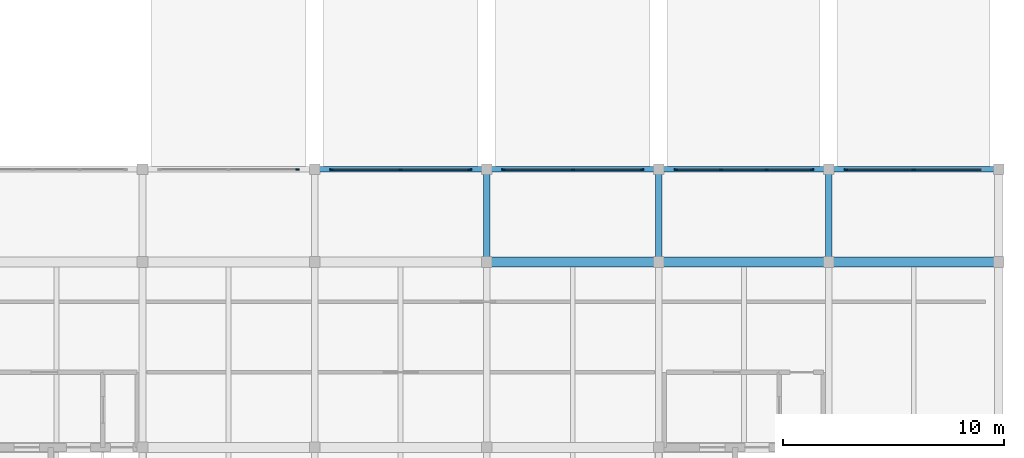
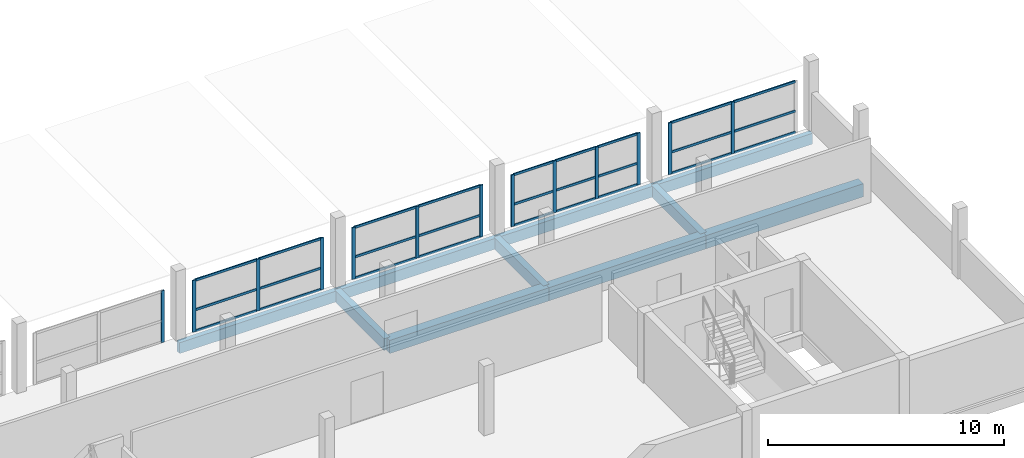
# One storey, part 31 of 51: 40 members, 10 beams, 5 elements without a shape of their own.
"""IFC4 building model written with IfcOpenShell, lengths in metres."""

from ifc_helpers import new_model, si_unit, direction, frame, origin, origin_2d, place, context, subcontext, project, spatial, rectangle, extrude, material, material_profile, profile_set, type_object, element, aggregate, save


model = new_model("IFC4")

# Units and contexts
model_context = context("Model", 3, precision=1e-05, world=origin(), true_north=direction((0.0, 1.0)))
body_context = subcontext(model_context, "Body", "Model", "MODEL_VIEW")
ifc_project = project(units=[si_unit("LENGTHUNIT", "METRE"), si_unit("AREAUNIT", "SQUARE_METRE"), si_unit("VOLUMEUNIT", "CUBIC_METRE"), si_unit("PLANEANGLEUNIT", "RADIAN"), si_unit("MASSUNIT", "GRAM", prefix="KILO")], contexts=[model_context])

# Site, building, storey
site_placement = place(None, origin())
site = spatial("IfcSite", under=ifc_project, at=site_placement, CompositionType="ELEMENT")
building_placement = place(site_placement, origin())
building = spatial("IfcBuilding", under=site, at=building_placement, Name="Vharandega Faculty of Natural Sciences", CompositionType="ELEMENT")
storey_placement = place(building_placement, frame((0.0, 0.0, 18.0)))
storey = spatial("IfcBuildingStorey", under=building, at=storey_placement, Name="L04", CompositionType="ELEMENT", Elevation=18.0)

# Curtain wall, member
ifc_material_1 = material(Name="Aluminium and solar-control glass curtain wall", Category="aluminium")
curtain_wall_type_1 = type_object("IfcCurtainWallType", Name="Unitised Curtain Wall System CW-22", PredefinedType="NOTDEFINED", material=ifc_material_1)
curtain_wall_1_placement = place(storey_placement, origin())
curtain_wall_1 = element("IfcCurtainWall", 1, at=curtain_wall_1_placement, inside=storey, type_object=curtain_wall_type_1, Name="Curtain Wall CW-L04-021", PredefinedType="NOTDEFINED")
ifc_material_2 = material(Name="Thermally broken aluminium 6063-T6", Category="aluminium")
ifc_material_profile_1 = material_profile(ifc_material_2, rectangle(XDim=0.06005859375, YDim=0.159912109375, at=origin_2d()), Name="ALU 60x160")
ifc_profile_set_1 = profile_set([ifc_material_profile_1], Name="Thermally broken aluminium 6063-T6")
member_type_1 = type_object("IfcMemberType", Name="CW Mullion 60x160", PredefinedType="MULLION", material=ifc_profile_set_1)
member_1_placement = place(storey_placement, frame((129.6298828125, 85.0, 0.0), z_axis=(0.0, 0.0, 1.0), x_axis=(0.0, 1.0, 0.0)))
member_1 = element("IfcMember", 2, at=member_1_placement, type_object=member_type_1, Name="CW-22 mullion 3", PredefinedType="MULLION", context=body_context, shape_type="SweptSolid", body=[
    extrude(rectangle(XDim=0.06005859375, YDim=0.159912109375, at=origin_2d()), origin(), (0.0, 0.0, 1.0), 2.679931640625),
])
aggregate(curtain_wall_1, [member_1])

# Curtain wall, members
ifc_material_3 = material(Name="Aluminium and solar-control glass curtain wall", Category="aluminium")
curtain_wall_type_2 = type_object("IfcCurtainWallType", Name="Unitised Curtain Wall System CW-23", PredefinedType="NOTDEFINED", material=ifc_material_3)
curtain_wall_2_placement = place(storey_placement, origin())
curtain_wall_2 = element("IfcCurtainWall", 3, at=curtain_wall_2_placement, inside=storey, type_object=curtain_wall_type_2, Name="Curtain Wall CW-L04-022", PredefinedType="NOTDEFINED")
member_2_placement = place(storey_placement, frame((131.169921875, 85.0, 0.0), z_axis=(0.0, 0.0, 1.0), x_axis=(0.0, 1.0, 0.0)))
member_2 = element("IfcMember", 4, at=member_2_placement, type_object=member_type_1, Name="CW-23 mullion 1", PredefinedType="MULLION", context=body_context, shape_type="SweptSolid", body=[
    extrude(rectangle(XDim=0.06005859375, YDim=0.159912109375, at=origin_2d()), origin(), (0.0, 0.0, 1.0), 2.679931640625),
])
member_3_placement = place(storey_placement, frame((134.300048828125, 85.0, 0.0), z_axis=(0.0, 0.0, 1.0), x_axis=(0.0, 1.0, 0.0)))
member_3 = element("IfcMember", 5, at=member_3_placement, type_object=member_type_1, Name="CW-23 mullion 2", PredefinedType="MULLION", context=body_context, shape_type="SweptSolid", body=[
    extrude(rectangle(XDim=0.06005859375, YDim=0.159912109375, at=origin_2d()), origin(), (0.0, 0.0, 1.0), 2.679931640625),
])
member_4_placement = place(storey_placement, frame((137.429931640625, 85.0, 0.0), z_axis=(0.0, 0.0, 1.0), x_axis=(0.0, 1.0, 0.0)))
member_4 = element("IfcMember", 6, at=member_4_placement, type_object=member_type_1, Name="CW-23 mullion 3", PredefinedType="MULLION", context=body_context, shape_type="SweptSolid", body=[
    extrude(rectangle(XDim=0.06005859375, YDim=0.159912109375, at=origin_2d()), origin(), (0.0, 0.0, 1.0), 2.679931640625),
])

ifc_material_4 = material(Name="Aluminium and solar-control glass curtain wall", Category="aluminium")
curtain_wall_type_3 = type_object("IfcCurtainWallType", Name="Unitised Curtain Wall System CW-24", PredefinedType="NOTDEFINED", material=ifc_material_4)
curtain_wall_3_placement = place(storey_placement, origin())
curtain_wall_3 = element("IfcCurtainWall", 7, at=curtain_wall_3_placement, inside=storey, type_object=curtain_wall_type_3, Name="Curtain Wall CW-L04-023", PredefinedType="NOTDEFINED")
member_5_placement = place(storey_placement, frame((138.969970703125, 85.0, 0.0), z_axis=(0.0, 0.0, 1.0), x_axis=(0.0, 1.0, 0.0)))
member_5 = element("IfcMember", 8, at=member_5_placement, type_object=member_type_1, Name="CW-24 mullion 1", PredefinedType="MULLION", context=body_context, shape_type="SweptSolid", body=[
    extrude(rectangle(XDim=0.06005859375, YDim=0.159912109375, at=origin_2d()), origin(), (0.0, 0.0, 1.0), 2.679931640625),
])
member_6_placement = place(storey_placement, frame((142.10009765625, 85.0, 0.0), z_axis=(0.0, 0.0, 1.0), x_axis=(0.0, 1.0, 0.0)))
member_6 = element("IfcMember", 9, at=member_6_placement, type_object=member_type_1, Name="CW-24 mullion 2", PredefinedType="MULLION", context=body_context, shape_type="SweptSolid", body=[
    extrude(rectangle(XDim=0.06005859375, YDim=0.159912109375, at=origin_2d()), origin(), (0.0, 0.0, 1.0), 2.679931640625),
])
member_7_placement = place(storey_placement, frame((145.22998046875, 85.0, 0.0), z_axis=(0.0, 0.0, 1.0), x_axis=(0.0, 1.0, 0.0)))
member_7 = element("IfcMember", 10, at=member_7_placement, type_object=member_type_1, Name="CW-24 mullion 3", PredefinedType="MULLION", context=body_context, shape_type="SweptSolid", body=[
    extrude(rectangle(XDim=0.06005859375, YDim=0.159912109375, at=origin_2d()), origin(), (0.0, 0.0, 1.0), 2.679931640625),
])

ifc_material_5 = material(Name="Aluminium and solar-control glass curtain wall", Category="aluminium")
curtain_wall_type_4 = type_object("IfcCurtainWallType", Name="Unitised Curtain Wall System CW-25", PredefinedType="NOTDEFINED", material=ifc_material_5)
curtain_wall_4_placement = place(storey_placement, origin())
curtain_wall_4 = element("IfcCurtainWall", 11, at=curtain_wall_4_placement, inside=storey, type_object=curtain_wall_type_4, Name="Curtain Wall CW-L04-024", PredefinedType="NOTDEFINED")
member_8_placement = place(storey_placement, frame((146.77001953125, 85.0, 0.0), z_axis=(0.0, 0.0, 1.0), x_axis=(0.0, 1.0, 0.0)))
member_8 = element("IfcMember", 12, at=member_8_placement, type_object=member_type_1, Name="CW-25 mullion 1", PredefinedType="MULLION", context=body_context, shape_type="SweptSolid", body=[
    extrude(rectangle(XDim=0.06005859375, YDim=0.159912109375, at=origin_2d()), origin(), (0.0, 0.0, 1.0), 2.679931640625),
])
member_9_placement = place(storey_placement, frame((148.813232421875, 85.0, 0.0), z_axis=(0.0, 0.0, 1.0), x_axis=(0.0, 1.0, 0.0)))
member_9 = element("IfcMember", 13, at=member_9_placement, type_object=member_type_1, Name="CW-25 mullion 2", PredefinedType="MULLION", context=body_context, shape_type="SweptSolid", body=[
    extrude(rectangle(XDim=0.06005859375, YDim=0.159912109375, at=origin_2d()), origin(), (0.0, 0.0, 1.0), 2.679931640625),
])
member_10_placement = place(storey_placement, frame((150.88671875, 85.0, 0.0), z_axis=(0.0, 0.0, 1.0), x_axis=(0.0, 1.0, 0.0)))
member_10 = element("IfcMember", 14, at=member_10_placement, type_object=member_type_1, Name="CW-25 mullion 3", PredefinedType="MULLION", context=body_context, shape_type="SweptSolid", body=[
    extrude(rectangle(XDim=0.06005859375, YDim=0.159912109375, at=origin_2d()), origin(), (0.0, 0.0, 1.0), 2.679931640625),
])
member_11_placement = place(storey_placement, frame((152.929931640625, 85.0, 0.0), z_axis=(0.0, 0.0, 1.0), x_axis=(0.0, 1.0, 0.0)))
member_11 = element("IfcMember", 15, at=member_11_placement, type_object=member_type_1, Name="CW-25 mullion 4", PredefinedType="MULLION", context=body_context, shape_type="SweptSolid", body=[
    extrude(rectangle(XDim=0.06005859375, YDim=0.159912109375, at=origin_2d()), origin(), (0.0, 0.0, 1.0), 2.679931640625),
])

ifc_material_6 = material(Name="Aluminium and solar-control glass curtain wall", Category="aluminium")
curtain_wall_type_5 = type_object("IfcCurtainWallType", Name="Unitised Curtain Wall System CW-26", PredefinedType="NOTDEFINED", material=ifc_material_6)
curtain_wall_5_placement = place(storey_placement, origin())
curtain_wall_5 = element("IfcCurtainWall", 16, at=curtain_wall_5_placement, inside=storey, type_object=curtain_wall_type_5, Name="Curtain Wall CW-L04-025", PredefinedType="NOTDEFINED")
member_12_placement = place(storey_placement, frame((154.469970703125, 85.0, 0.0), z_axis=(0.0, 0.0, 1.0), x_axis=(0.0, 1.0, 0.0)))
member_12 = element("IfcMember", 17, at=member_12_placement, type_object=member_type_1, Name="CW-26 mullion 1", PredefinedType="MULLION", context=body_context, shape_type="SweptSolid", body=[
    extrude(rectangle(XDim=0.06005859375, YDim=0.159912109375, at=origin_2d()), origin(), (0.0, 0.0, 1.0), 2.679931640625),
])
member_13_placement = place(storey_placement, frame((157.550048828125, 85.0, 0.0), z_axis=(0.0, 0.0, 1.0), x_axis=(0.0, 1.0, 0.0)))
member_13 = element("IfcMember", 18, at=member_13_placement, type_object=member_type_1, Name="CW-26 mullion 2", PredefinedType="MULLION", context=body_context, shape_type="SweptSolid", body=[
    extrude(rectangle(XDim=0.06005859375, YDim=0.159912109375, at=origin_2d()), origin(), (0.0, 0.0, 1.0), 2.679931640625),
])

# Member
ifc_material_7 = material(Name="Thermally broken aluminium 6063-T6", Category="aluminium")
ifc_material_profile_2 = material_profile(ifc_material_7, rectangle(XDim=0.06005859375, YDim=0.1201171875, at=origin_2d()), Name="ALU 60x120")
ifc_profile_set_2 = profile_set([ifc_material_profile_2], Name="Thermally broken aluminium 6063-T6")
member_type_2 = type_object("IfcMemberType", Name="CW Transom 60x120", PredefinedType="USERDEFINED", material=ifc_profile_set_2)
member_14_placement = place(storey_placement, frame((131.199951171875, 85.0, 0.030029296875), z_axis=(1.0, 0.0, 0.0), x_axis=(0.0, 1.0, 0.0)))
member_14 = element("IfcMember", 19, at=member_14_placement, type_object=member_type_2, Name="CW-23 transom 1.1", ObjectType="TRANSOM", PredefinedType="USERDEFINED", context=body_context, shape_type="SweptSolid", body=[
    extrude(rectangle(XDim=0.06005859375, YDim=0.1201171875, at=origin_2d()), origin(), (0.0, 0.0, 1.0), 3.070068359375),
])

member_15_placement = place(storey_placement, frame((131.199951171875, 85.0, 1.12548828125), z_axis=(1.0, 0.0, 0.0), x_axis=(0.0, 1.0, 0.0)))
member_15 = element("IfcMember", 20, at=member_15_placement, type_object=member_type_2, Name="CW-23 transom 1.2", ObjectType="TRANSOM", PredefinedType="USERDEFINED", context=body_context, shape_type="SweptSolid", body=[
    extrude(rectangle(XDim=0.06005859375, YDim=0.1201171875, at=origin_2d()), origin(), (0.0, 0.0, 1.0), 3.070068359375),
])

member_16_placement = place(storey_placement, frame((131.199951171875, 85.0, 2.64990234375), z_axis=(1.0, 0.0, 0.0), x_axis=(0.0, 1.0, 0.0)))
member_16 = element("IfcMember", 21, at=member_16_placement, type_object=member_type_2, Name="CW-23 transom 1.3", ObjectType="TRANSOM", PredefinedType="USERDEFINED", context=body_context, shape_type="SweptSolid", body=[
    extrude(rectangle(XDim=0.06005859375, YDim=0.1201171875, at=origin_2d()), origin(), (0.0, 0.0, 1.0), 3.070068359375),
])

member_17_placement = place(storey_placement, frame((134.330078125, 85.0, 0.030029296875), z_axis=(1.0, 0.0, 0.0), x_axis=(0.0, 1.0, 0.0)))
member_17 = element("IfcMember", 22, at=member_17_placement, type_object=member_type_2, Name="CW-23 transom 2.1", ObjectType="TRANSOM", PredefinedType="USERDEFINED", context=body_context, shape_type="SweptSolid", body=[
    extrude(rectangle(XDim=0.06005859375, YDim=0.1201171875, at=origin_2d()), origin(), (0.0, 0.0, 1.0), 3.06982421875),
])

member_18_placement = place(storey_placement, frame((134.330078125, 85.0, 1.12548828125), z_axis=(1.0, 0.0, 0.0), x_axis=(0.0, 1.0, 0.0)))
member_18 = element("IfcMember", 23, at=member_18_placement, type_object=member_type_2, Name="CW-23 transom 2.2", ObjectType="TRANSOM", PredefinedType="USERDEFINED", context=body_context, shape_type="SweptSolid", body=[
    extrude(rectangle(XDim=0.06005859375, YDim=0.1201171875, at=origin_2d()), origin(), (0.0, 0.0, 1.0), 3.06982421875),
])

member_19_placement = place(storey_placement, frame((134.330078125, 85.0, 2.64990234375), z_axis=(1.0, 0.0, 0.0), x_axis=(0.0, 1.0, 0.0)))
member_19 = element("IfcMember", 24, at=member_19_placement, type_object=member_type_2, Name="CW-23 transom 2.3", ObjectType="TRANSOM", PredefinedType="USERDEFINED", context=body_context, shape_type="SweptSolid", body=[
    extrude(rectangle(XDim=0.06005859375, YDim=0.1201171875, at=origin_2d()), origin(), (0.0, 0.0, 1.0), 3.06982421875),
])

aggregate(curtain_wall_2, [member_2, member_3, member_4, member_14, member_15, member_16, member_17, member_18, member_19])

member_20_placement = place(storey_placement, frame((139.0, 85.0, 0.030029296875), z_axis=(1.0, 0.0, 0.0), x_axis=(0.0, 1.0, 0.0)))
member_20 = element("IfcMember", 25, at=member_20_placement, type_object=member_type_2, Name="CW-24 transom 1.1", ObjectType="TRANSOM", PredefinedType="USERDEFINED", context=body_context, shape_type="SweptSolid", body=[
    extrude(rectangle(XDim=0.06005859375, YDim=0.1201171875, at=origin_2d()), origin(), (0.0, 0.0, 1.0), 3.070068359375),
])

member_21_placement = place(storey_placement, frame((139.0, 85.0, 1.12548828125), z_axis=(1.0, 0.0, 0.0), x_axis=(0.0, 1.0, 0.0)))
member_21 = element("IfcMember", 26, at=member_21_placement, type_object=member_type_2, Name="CW-24 transom 1.2", ObjectType="TRANSOM", PredefinedType="USERDEFINED", context=body_context, shape_type="SweptSolid", body=[
    extrude(rectangle(XDim=0.06005859375, YDim=0.1201171875, at=origin_2d()), origin(), (0.0, 0.0, 1.0), 3.070068359375),
])

member_22_placement = place(storey_placement, frame((139.0, 85.0, 2.64990234375), z_axis=(1.0, 0.0, 0.0), x_axis=(0.0, 1.0, 0.0)))
member_22 = element("IfcMember", 27, at=member_22_placement, type_object=member_type_2, Name="CW-24 transom 1.3", ObjectType="TRANSOM", PredefinedType="USERDEFINED", context=body_context, shape_type="SweptSolid", body=[
    extrude(rectangle(XDim=0.06005859375, YDim=0.1201171875, at=origin_2d()), origin(), (0.0, 0.0, 1.0), 3.070068359375),
])

member_23_placement = place(storey_placement, frame((142.1298828125, 85.0, 0.030029296875), z_axis=(1.0, 0.0, 0.0), x_axis=(0.0, 1.0, 0.0)))
member_23 = element("IfcMember", 28, at=member_23_placement, type_object=member_type_2, Name="CW-24 transom 2.1", ObjectType="TRANSOM", PredefinedType="USERDEFINED", context=body_context, shape_type="SweptSolid", body=[
    extrude(rectangle(XDim=0.06005859375, YDim=0.1201171875, at=origin_2d()), origin(), (0.0, 0.0, 1.0), 3.070068359375),
])

member_24_placement = place(storey_placement, frame((142.1298828125, 85.0, 1.12548828125), z_axis=(1.0, 0.0, 0.0), x_axis=(0.0, 1.0, 0.0)))
member_24 = element("IfcMember", 29, at=member_24_placement, type_object=member_type_2, Name="CW-24 transom 2.2", ObjectType="TRANSOM", PredefinedType="USERDEFINED", context=body_context, shape_type="SweptSolid", body=[
    extrude(rectangle(XDim=0.06005859375, YDim=0.1201171875, at=origin_2d()), origin(), (0.0, 0.0, 1.0), 3.070068359375),
])

member_25_placement = place(storey_placement, frame((142.1298828125, 85.0, 2.64990234375), z_axis=(1.0, 0.0, 0.0), x_axis=(0.0, 1.0, 0.0)))
member_25 = element("IfcMember", 30, at=member_25_placement, type_object=member_type_2, Name="CW-24 transom 2.3", ObjectType="TRANSOM", PredefinedType="USERDEFINED", context=body_context, shape_type="SweptSolid", body=[
    extrude(rectangle(XDim=0.06005859375, YDim=0.1201171875, at=origin_2d()), origin(), (0.0, 0.0, 1.0), 3.070068359375),
])

aggregate(curtain_wall_3, [member_5, member_6, member_7, member_20, member_21, member_22, member_23, member_24, member_25])

member_26_placement = place(storey_placement, frame((146.800048828125, 85.0, 0.030029296875), z_axis=(1.0, 0.0, 0.0), x_axis=(0.0, 1.0, 0.0)))
member_26 = element("IfcMember", 31, at=member_26_placement, type_object=member_type_2, Name="CW-25 transom 1.1", ObjectType="TRANSOM", PredefinedType="USERDEFINED", context=body_context, shape_type="SweptSolid", body=[
    extrude(rectangle(XDim=0.06005859375, YDim=0.1201171875, at=origin_2d()), origin(), (0.0, 0.0, 1.0), 1.9833984375),
])

member_27_placement = place(storey_placement, frame((146.800048828125, 85.0, 1.12548828125), z_axis=(1.0, 0.0, 0.0), x_axis=(0.0, 1.0, 0.0)))
member_27 = element("IfcMember", 32, at=member_27_placement, type_object=member_type_2, Name="CW-25 transom 1.2", ObjectType="TRANSOM", PredefinedType="USERDEFINED", context=body_context, shape_type="SweptSolid", body=[
    extrude(rectangle(XDim=0.06005859375, YDim=0.1201171875, at=origin_2d()), origin(), (0.0, 0.0, 1.0), 1.9833984375),
])

member_28_placement = place(storey_placement, frame((146.800048828125, 85.0, 2.64990234375), z_axis=(1.0, 0.0, 0.0), x_axis=(0.0, 1.0, 0.0)))
member_28 = element("IfcMember", 33, at=member_28_placement, type_object=member_type_2, Name="CW-25 transom 1.3", ObjectType="TRANSOM", PredefinedType="USERDEFINED", context=body_context, shape_type="SweptSolid", body=[
    extrude(rectangle(XDim=0.06005859375, YDim=0.1201171875, at=origin_2d()), origin(), (0.0, 0.0, 1.0), 1.9833984375),
])

member_29_placement = place(storey_placement, frame((148.84326171875, 85.0, 0.030029296875), z_axis=(1.0, 0.0, 0.0), x_axis=(0.0, 1.0, 0.0)))
member_29 = element("IfcMember", 34, at=member_29_placement, type_object=member_type_2, Name="CW-25 transom 2.1", ObjectType="TRANSOM", PredefinedType="USERDEFINED", context=body_context, shape_type="SweptSolid", body=[
    extrude(rectangle(XDim=0.06005859375, YDim=0.1201171875, at=origin_2d()), origin(), (0.0, 0.0, 1.0), 2.013427734375),
])

member_30_placement = place(storey_placement, frame((148.84326171875, 85.0, 1.12548828125), z_axis=(1.0, 0.0, 0.0), x_axis=(0.0, 1.0, 0.0)))
member_30 = element("IfcMember", 35, at=member_30_placement, type_object=member_type_2, Name="CW-25 transom 2.2", ObjectType="TRANSOM", PredefinedType="USERDEFINED", context=body_context, shape_type="SweptSolid", body=[
    extrude(rectangle(XDim=0.06005859375, YDim=0.1201171875, at=origin_2d()), origin(), (0.0, 0.0, 1.0), 2.013427734375),
])

member_31_placement = place(storey_placement, frame((148.84326171875, 85.0, 2.64990234375), z_axis=(1.0, 0.0, 0.0), x_axis=(0.0, 1.0, 0.0)))
member_31 = element("IfcMember", 36, at=member_31_placement, type_object=member_type_2, Name="CW-25 transom 2.3", ObjectType="TRANSOM", PredefinedType="USERDEFINED", context=body_context, shape_type="SweptSolid", body=[
    extrude(rectangle(XDim=0.06005859375, YDim=0.1201171875, at=origin_2d()), origin(), (0.0, 0.0, 1.0), 2.013427734375),
])

member_32_placement = place(storey_placement, frame((150.916748046875, 85.0, 0.030029296875), z_axis=(1.0, 0.0, 0.0), x_axis=(0.0, 1.0, 0.0)))
member_32 = element("IfcMember", 37, at=member_32_placement, type_object=member_type_2, Name="CW-25 transom 3.1", ObjectType="TRANSOM", PredefinedType="USERDEFINED", context=body_context, shape_type="SweptSolid", body=[
    extrude(rectangle(XDim=0.06005859375, YDim=0.1201171875, at=origin_2d()), origin(), (0.0, 0.0, 1.0), 1.983154296875),
])

member_33_placement = place(storey_placement, frame((150.916748046875, 85.0, 1.12548828125), z_axis=(1.0, 0.0, 0.0), x_axis=(0.0, 1.0, 0.0)))
member_33 = element("IfcMember", 38, at=member_33_placement, type_object=member_type_2, Name="CW-25 transom 3.2", ObjectType="TRANSOM", PredefinedType="USERDEFINED", context=body_context, shape_type="SweptSolid", body=[
    extrude(rectangle(XDim=0.06005859375, YDim=0.1201171875, at=origin_2d()), origin(), (0.0, 0.0, 1.0), 1.983154296875),
])

member_34_placement = place(storey_placement, frame((150.916748046875, 85.0, 2.64990234375), z_axis=(1.0, 0.0, 0.0), x_axis=(0.0, 1.0, 0.0)))
member_34 = element("IfcMember", 39, at=member_34_placement, type_object=member_type_2, Name="CW-25 transom 3.3", ObjectType="TRANSOM", PredefinedType="USERDEFINED", context=body_context, shape_type="SweptSolid", body=[
    extrude(rectangle(XDim=0.06005859375, YDim=0.1201171875, at=origin_2d()), origin(), (0.0, 0.0, 1.0), 1.983154296875),
])

aggregate(curtain_wall_4, [member_8, member_9, member_10, member_11, member_26, member_27, member_28, member_29, member_30, member_31, member_32, member_33, member_34])

member_35_placement = place(storey_placement, frame((154.5, 85.0, 0.030029296875), z_axis=(1.0, 0.0, 0.0), x_axis=(0.0, 1.0, 0.0)))
member_35 = element("IfcMember", 40, at=member_35_placement, type_object=member_type_2, Name="CW-26 transom 1.1", ObjectType="TRANSOM", PredefinedType="USERDEFINED", context=body_context, shape_type="SweptSolid", body=[
    extrude(rectangle(XDim=0.06005859375, YDim=0.1201171875, at=origin_2d()), origin(), (0.0, 0.0, 1.0), 3.02001953125),
])

member_36_placement = place(storey_placement, frame((154.5, 85.0, 1.12548828125), z_axis=(1.0, 0.0, 0.0), x_axis=(0.0, 1.0, 0.0)))
member_36 = element("IfcMember", 41, at=member_36_placement, type_object=member_type_2, Name="CW-26 transom 1.2", ObjectType="TRANSOM", PredefinedType="USERDEFINED", context=body_context, shape_type="SweptSolid", body=[
    extrude(rectangle(XDim=0.06005859375, YDim=0.1201171875, at=origin_2d()), origin(), (0.0, 0.0, 1.0), 3.02001953125),
])

member_37_placement = place(storey_placement, frame((154.5, 85.0, 2.64990234375), z_axis=(1.0, 0.0, 0.0), x_axis=(0.0, 1.0, 0.0)))
member_37 = element("IfcMember", 42, at=member_37_placement, type_object=member_type_2, Name="CW-26 transom 1.3", ObjectType="TRANSOM", PredefinedType="USERDEFINED", context=body_context, shape_type="SweptSolid", body=[
    extrude(rectangle(XDim=0.06005859375, YDim=0.1201171875, at=origin_2d()), origin(), (0.0, 0.0, 1.0), 3.02001953125),
])

member_38_placement = place(storey_placement, frame((157.580078125, 85.0, 0.030029296875), z_axis=(1.0, 0.0, 0.0), x_axis=(0.0, 1.0, 0.0)))
member_38 = element("IfcMember", 43, at=member_38_placement, type_object=member_type_2, Name="CW-26 transom 2.1", ObjectType="TRANSOM", PredefinedType="USERDEFINED", context=body_context, shape_type="SweptSolid", body=[
    extrude(rectangle(XDim=0.06005859375, YDim=0.1201171875, at=origin_2d()), origin(), (0.0, 0.0, 1.0), 3.02001953125),
])

member_39_placement = place(storey_placement, frame((157.580078125, 85.0, 1.12548828125), z_axis=(1.0, 0.0, 0.0), x_axis=(0.0, 1.0, 0.0)))
member_39 = element("IfcMember", 44, at=member_39_placement, type_object=member_type_2, Name="CW-26 transom 2.2", ObjectType="TRANSOM", PredefinedType="USERDEFINED", context=body_context, shape_type="SweptSolid", body=[
    extrude(rectangle(XDim=0.06005859375, YDim=0.1201171875, at=origin_2d()), origin(), (0.0, 0.0, 1.0), 3.02001953125),
])

member_40_placement = place(storey_placement, frame((157.580078125, 85.0, 2.64990234375), z_axis=(1.0, 0.0, 0.0), x_axis=(0.0, 1.0, 0.0)))
member_40 = element("IfcMember", 45, at=member_40_placement, type_object=member_type_2, Name="CW-26 transom 2.3", ObjectType="TRANSOM", PredefinedType="USERDEFINED", context=body_context, shape_type="SweptSolid", body=[
    extrude(rectangle(XDim=0.06005859375, YDim=0.1201171875, at=origin_2d()), origin(), (0.0, 0.0, 1.0), 3.02001953125),
])

aggregate(curtain_wall_5, [member_12, member_13, member_35, member_36, member_37, member_38, member_39, member_40])

# Beams
ifc_material_8 = material(Name="Glulam GL28h", Category="wood")
ifc_material_profile_3 = material_profile(ifc_material_8, rectangle(XDim=0.300048828125, YDim=0.60009765625, at=origin_2d()), Name="GL28h 300x600")
ifc_profile_set_3 = profile_set([ifc_material_profile_3], Name="Glulam GL28h")
beam_type_1 = type_object("IfcBeamType", Name="Glulam Floor Beam 300x600", PredefinedType="BEAM", material=ifc_profile_set_3)
for number, where, z_axis, x_axis, name in (
    (46, (138.199951171875, 80.800048828125, -0.5400390625), (0.0, 1.0, 0.0), (-1.0, 0.0, 0.0), "Beam L04 18/L-M"),
    (47, (146.0, 80.800048828125, -0.5400390625), (0.0, 1.0, 0.0), (-1.0, 0.0, 0.0), "Beam L04 19/L-M"),
    (48, (153.699951171875, 80.800048828125, -0.5400390625), (0.0, 1.0, 0.0), (-1.0, 0.0, 0.0), "Beam L04 20/L-M"),
):
    element("IfcBeam", number, at=place(storey_placement, frame(where, z_axis=z_axis, x_axis=x_axis)), inside=storey, type_object=beam_type_1, Name=name, PredefinedType="BEAM", context=body_context, shape_type="SweptSolid", body=[
        extrude(rectangle(XDim=0.300048828125, YDim=0.60009765625, at=origin_2d()), origin(), (0.0, 0.0, 1.0), 4.199951171875),
    ])
ifc_material_9 = material(Name="Glulam GL32h", Category="wood")
ifc_material_profile_4 = material_profile(ifc_material_9, rectangle(XDim=0.43994140625, YDim=0.679931640625, at=origin_2d()), Name="GL32h 440x680")
ifc_profile_set_4 = profile_set([ifc_material_profile_4], Name="Glulam GL32h")
beam_type_2 = type_object("IfcBeamType", Name="Glulam Girder 440x680", PredefinedType="BEAM", material=ifc_profile_set_4)
beam_placement = place(storey_placement, frame((138.199951171875, 80.800048828125, -0.580078125), z_axis=(1.0, 0.0, 0.0), x_axis=(0.0, 1.0, 0.0)))
element("IfcBeam", 49, at=beam_placement, inside=storey, type_object=beam_type_2, Name="Beam L04 L/18-19", PredefinedType="BEAM", context=body_context, shape_type="SweptSolid", body=[
    extrude(rectangle(XDim=0.43994140625, YDim=0.679931640625, at=origin_2d()), origin(), (0.0, 0.0, 1.0), 7.800048828125),
])
for number, where, z_axis, x_axis, name in (
    (50, (146.0, 80.800048828125, -0.580078125), (1.0, 0.0, 0.0), (0.0, 1.0, 0.0), "Beam L04 L/19-20"),
    (51, (153.699951171875, 80.800048828125, -0.580078125), (1.0, 0.0, 0.0), (0.0, 1.0, 0.0), "Beam L04 L/20-21"),
):
    element("IfcBeam", number, at=place(storey_placement, frame(where, z_axis=z_axis, x_axis=x_axis)), inside=storey, type_object=beam_type_2, Name=name, PredefinedType="BEAM", context=body_context, shape_type="SweptSolid", body=[
        extrude(rectangle(XDim=0.43994140625, YDim=0.679931640625, at=origin_2d()), origin(), (0.0, 0.0, 1.0), 7.699951171875),
    ])
ifc_material_10 = material(Name="Glulam GL28h", Category="wood")
ifc_material_profile_5 = material_profile(ifc_material_10, rectangle(XDim=0.239990234375, YDim=0.56005859375, at=origin_2d()), Name="GL28h 240x560")
ifc_profile_set_5 = profile_set([ifc_material_profile_5], Name="Glulam GL28h")
beam_type_3 = type_object("IfcBeamType", Name="Glulam Spandrel Edge Beam 240x560", PredefinedType="SPANDREL", material=ifc_profile_set_5)
for number, where, z_axis, x_axis, name in (
    (52, (130.39990234375, 85.0, -0.52001953125), (1.0, 0.0, 0.0), (0.0, 1.0, 0.0), "Beam L04 M/17-18"),
    (53, (138.199951171875, 85.0, -0.52001953125), (1.0, 0.0, 0.0), (0.0, 1.0, 0.0), "Beam L04 M/18-19"),
):
    element("IfcBeam", number, at=place(storey_placement, frame(where, z_axis=z_axis, x_axis=x_axis)), inside=storey, type_object=beam_type_3, Name=name, PredefinedType="SPANDREL", context=body_context, shape_type="SweptSolid", body=[
        extrude(rectangle(XDim=0.239990234375, YDim=0.56005859375, at=origin_2d()), origin(), (0.0, 0.0, 1.0), 7.800048828125),
    ])
for number, where, z_axis, x_axis, name in (
    (54, (146.0, 85.0, -0.52001953125), (1.0, 0.0, 0.0), (0.0, 1.0, 0.0), "Beam L04 M/19-20"),
    (55, (153.699951171875, 85.0, -0.52001953125), (1.0, 0.0, 0.0), (0.0, 1.0, 0.0), "Beam L04 M/20-21"),
):
    element("IfcBeam", number, at=place(storey_placement, frame(where, z_axis=z_axis, x_axis=x_axis)), inside=storey, type_object=beam_type_3, Name=name, PredefinedType="SPANDREL", context=body_context, shape_type="SweptSolid", body=[
        extrude(rectangle(XDim=0.239990234375, YDim=0.56005859375, at=origin_2d()), origin(), (0.0, 0.0, 1.0), 7.699951171875),
    ])

save(model, "model.ifc")
